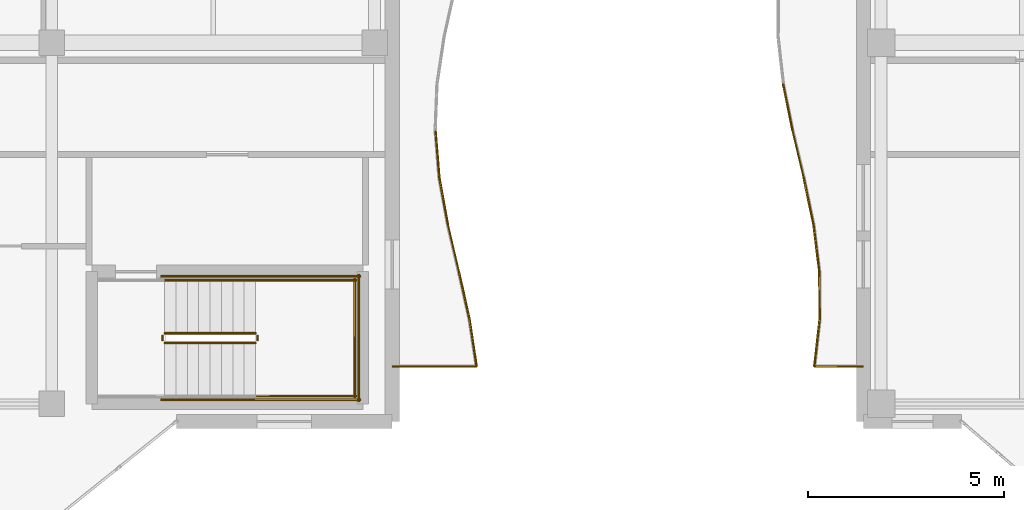
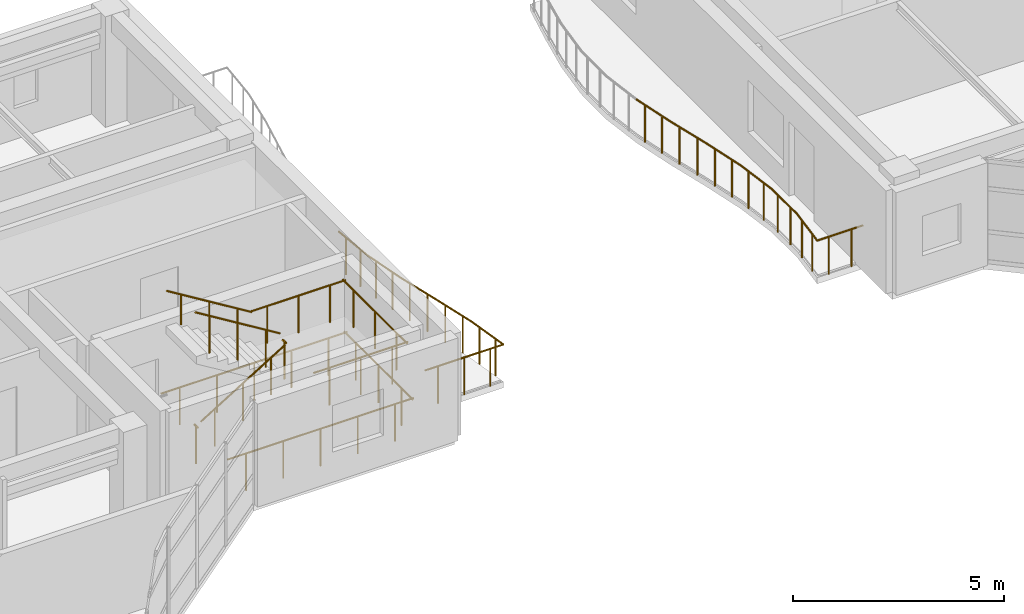
# One storey, part 117 of 128: 24 railings.
"""IFC4 building model written with IfcOpenShell, lengths in metres."""

from ifc_helpers import new_model, si_unit, direction, frame, origin, origin_2d, place, context, subcontext, project, spatial, circle, extrude, material, type_object, element, save


model = new_model("IFC4")

# Units and contexts
model_context = context("Model", 3, precision=1e-05, world=origin(), true_north=direction((0.0, 1.0)))
body_context = subcontext(model_context, "Body", "Model", "MODEL_VIEW")
ifc_project = project(units=[si_unit("LENGTHUNIT", "METRE"), si_unit("AREAUNIT", "SQUARE_METRE"), si_unit("VOLUMEUNIT", "CUBIC_METRE"), si_unit("PLANEANGLEUNIT", "RADIAN"), si_unit("MASSUNIT", "GRAM", prefix="KILO")], contexts=[model_context])

# Site, building, storey
site_placement = place(None, origin())
site = spatial("IfcSite", under=ifc_project, at=site_placement, CompositionType="ELEMENT")
building_placement = place(site_placement, origin())
building = spatial("IfcBuilding", under=site, at=building_placement, Name="Keldmere Railside Commons", CompositionType="ELEMENT")
storey_placement = place(building_placement, frame((0.0, 0.0, 4.159912109375)))
storey = spatial("IfcBuildingStorey", under=building, at=storey_placement, Name="L01", CompositionType="ELEMENT", Elevation=4.159912109375)

# Railings
ifc_material = material(Name="Steel F-24 (S235)", Category="steel")
railing_type_1 = type_object("IfcRailingType", Name="Balcony & Terrace Steel Balustrade 1100", PredefinedType="BALUSTRADE", material=ifc_material)
railing_1_placement = place(storey_placement, frame((81.5, 101.39990234375, 0.0)))
element("IfcRailing", 1, at=railing_1_placement, inside=storey, type_object=railing_type_1, Name="GR-1 GRD-L01-0880", PredefinedType="BALUSTRADE", context=body_context, shape_type="SweptSolid", body=[
    extrude(circle(Radius=0.02392578125, at=origin_2d()), frame((0.0, 0.0, 1.076171875), z_axis=(1.0, 0.0, 0.0), x_axis=(0.0, 1.0, 0.0)), (0.0, 0.0, 1.0), 2.150146484375),
    extrude(circle(Radius=0.02099609375, at=origin_2d()), frame((0.3583984375, 0.0, 0.0)), (0.0, 0.0, 1.0), 1.048095703125),
    extrude(circle(Radius=0.02099609375, at=origin_2d()), frame((1.0751953125, 0.0, 0.0)), (0.0, 0.0, 1.0), 1.048095703125),
    extrude(circle(Radius=0.02099609375, at=origin_2d()), frame((1.791748046875, 0.0, 0.0)), (0.0, 0.0, 1.0), 1.048095703125),
])
railing_2_placement = place(storey_placement, frame((83.650146484375, 101.39990234375, 0.0)))
element("IfcRailing", 2, at=railing_2_placement, inside=storey, type_object=railing_type_1, Name="GR-1 GRD-L01-0881", PredefinedType="BALUSTRADE", context=body_context, shape_type="SweptSolid", body=[
    extrude(circle(Radius=0.02392578125, at=origin_2d()), frame((0.0, 0.0, 1.076171875), z_axis=(-0.149441921366, 0.988770505294, 0.0), x_axis=(-0.988770505294, -0.149441921366, 0.0)), (0.0, 0.0, 1.0), 1.2138671875),
    extrude(circle(Radius=0.02099609375, at=origin_2d()), frame((-0.04541015625, 0.300048828125, 0.0)), (0.0, 0.0, 1.0), 1.048095703125),
    extrude(circle(Radius=0.02099609375, at=origin_2d()), frame((-0.135986328125, 0.900146484375, 0.0)), (0.0, 0.0, 1.0), 1.048095703125),
])
railing_3_placement = place(storey_placement, frame((83.46875, 102.60009765625, 0.0)))
element("IfcRailing", 3, at=railing_3_placement, inside=storey, type_object=railing_type_1, Name="GR-1 GRD-L01-0882", PredefinedType="BALUSTRADE", context=body_context, shape_type="SweptSolid", body=[
    extrude(circle(Radius=0.02392578125, at=origin_2d()), frame((0.0, 0.0, 1.076171875), z_axis=(-0.217077658328, 0.976154337313, 0.0), x_axis=(-0.976154337313, -0.217077658328, 0.0)), (0.0, 0.0, 1.0), 1.229248046875),
    extrude(circle(Radius=0.02099609375, at=origin_2d()), frame((-0.066650390625, 0.300048828125, 0.0)), (0.0, 0.0, 1.0), 1.048095703125),
    extrude(circle(Radius=0.02099609375, at=origin_2d()), frame((-0.2001953125, 0.89990234375, 0.0)), (0.0, 0.0, 1.0), 1.048095703125),
])
railing_4_placement = place(storey_placement, frame((83.201904296875, 103.800048828125, 0.0)))
element("IfcRailing", 4, at=railing_4_placement, inside=storey, type_object=railing_type_1, Name="GR-1 GRD-L01-0883", PredefinedType="BALUSTRADE", context=body_context, shape_type="SweptSolid", body=[
    extrude(circle(Radius=0.02392578125, at=origin_2d()), frame((0.0, 0.0, 1.076171875), z_axis=(-0.227824524311, 0.973702206079, 0.0), x_axis=(-0.973702206079, -0.227824524311, 0.0)), (0.0, 0.0, 1.0), 1.232421875),
    extrude(circle(Radius=0.02099609375, at=origin_2d()), frame((-0.0703125, 0.300048828125, 0.0)), (0.0, 0.0, 1.0), 1.048095703125),
    extrude(circle(Radius=0.02099609375, at=origin_2d()), frame((-0.21044921875, 0.89990234375, 0.0)), (0.0, 0.0, 1.0), 1.048095703125),
])
railing_5_placement = place(storey_placement, frame((82.921142578125, 105.0, 0.0)))
element("IfcRailing", 5, at=railing_5_placement, inside=storey, type_object=railing_type_1, Name="GR-1 GRD-L01-0884", PredefinedType="BALUSTRADE", context=body_context, shape_type="SweptSolid", body=[
    extrude(circle(Radius=0.02392578125, at=origin_2d()), frame((0.0, 0.0, 1.076171875), z_axis=(-0.179924457208, 0.983680430678, 0.0), x_axis=(-0.983680430678, -0.179924457208, 0.0)), (0.0, 0.0, 1.0), 1.219970703125),
    extrude(circle(Radius=0.02099609375, at=origin_2d()), frame((-0.054931640625, 0.300048828125, 0.0)), (0.0, 0.0, 1.0), 1.048095703125),
    extrude(circle(Radius=0.02099609375, at=origin_2d()), frame((-0.16455078125, 0.89990234375, 0.0)), (0.0, 0.0, 1.0), 1.048095703125),
])
railing_6_placement = place(storey_placement, frame((82.70166015625, 106.199951171875, 0.0)))
element("IfcRailing", 6, at=railing_6_placement, inside=storey, type_object=railing_type_1, Name="GR-1 GRD-L01-0885", PredefinedType="BALUSTRADE", context=body_context, shape_type="SweptSolid", body=[
    extrude(circle(Radius=0.02392578125, at=origin_2d()), frame((0.0, 0.0, 1.076171875), z_axis=(-0.082525271959, 0.996588972189, 0.0), x_axis=(-0.996588972189, -0.082525271959, 0.0)), (0.0, 0.0, 1.0), 1.2041015625),
    extrude(circle(Radius=0.02099609375, at=origin_2d()), frame((-0.02490234375, 0.300048828125, 0.0)), (0.0, 0.0, 1.0), 1.048095703125),
    extrude(circle(Radius=0.02099609375, at=origin_2d()), frame((-0.074462890625, 0.89990234375, 0.0)), (0.0, 0.0, 1.0), 1.048095703125),
])
railing_7_placement = place(storey_placement, frame((93.5, 101.39990234375, 0.0)))
element("IfcRailing", 7, at=railing_7_placement, inside=storey, type_object=railing_type_1, Name="GR-1 GRD-L01-1949", PredefinedType="BALUSTRADE", context=body_context, shape_type="SweptSolid", body=[
    extrude(circle(Radius=0.02392578125, at=origin_2d()), frame((0.0, 0.0, 1.076171875), z_axis=(-1.0, 0.0, 0.0), x_axis=(0.0, -1.0, 0.0)), (0.0, 0.0, 1.0), 1.252197265625),
    extrude(circle(Radius=0.02099609375, at=origin_2d()), frame((-0.31298828125, 0.0, 0.0)), (0.0, 0.0, 1.0), 1.048095703125),
    extrude(circle(Radius=0.02099609375, at=origin_2d()), frame((-0.939208984375, 0.0, 0.0)), (0.0, 0.0, 1.0), 1.048095703125),
])
railing_8_placement = place(storey_placement, frame((92.247802734375, 101.39990234375, 0.0)))
element("IfcRailing", 8, at=railing_8_placement, inside=storey, type_object=railing_type_1, Name="GR-1 GRD-L01-1950", PredefinedType="BALUSTRADE", context=body_context, shape_type="SweptSolid", body=[
    extrude(circle(Radius=0.02392578125, at=origin_2d()), frame((0.0, 0.0, 1.076171875), z_axis=(0.113181775206, 0.993574298058, 0.0), x_axis=(-0.993574298058, 0.113181775206, 0.0)), (0.0, 0.0, 1.0), 1.2080078125),
    extrude(circle(Radius=0.02099609375, at=origin_2d()), frame((0.0341796875, 0.300048828125, 0.0)), (0.0, 0.0, 1.0), 1.048095703125),
    extrude(circle(Radius=0.02099609375, at=origin_2d()), frame((0.1025390625, 0.900146484375, 0.0)), (0.0, 0.0, 1.0), 1.048095703125),
])
railing_9_placement = place(storey_placement, frame((92.384521484375, 102.60009765625, 0.0)))
element("IfcRailing", 9, at=railing_9_placement, inside=storey, type_object=railing_type_1, Name="GR-1 GRD-L01-1951", PredefinedType="BALUSTRADE", context=body_context, shape_type="SweptSolid", body=[
    extrude(circle(Radius=0.02392578125, at=origin_2d()), frame((0.0, 0.0, 1.076171875), z_axis=(-0.005696753948, 0.999983773366, 0.0), x_axis=(-0.999983773366, -0.005696753948, 0.0)), (0.0, 0.0, 1.0), 1.199951171875),
    extrude(circle(Radius=0.02099609375, at=origin_2d()), frame((-0.001708984375, 0.300048828125, 0.0)), (0.0, 0.0, 1.0), 1.048095703125),
    extrude(circle(Radius=0.02099609375, at=origin_2d()), frame((-0.005126953125, 0.89990234375, 0.0)), (0.0, 0.0, 1.0), 1.048095703125),
])
railing_10_placement = place(storey_placement, frame((92.377685546875, 103.800048828125, 0.0)))
element("IfcRailing", 10, at=railing_10_placement, inside=storey, type_object=railing_type_1, Name="GR-1 GRD-L01-1952", PredefinedType="BALUSTRADE", context=body_context, shape_type="SweptSolid", body=[
    extrude(circle(Radius=0.02392578125, at=origin_2d()), frame((0.0, 0.0, 1.076171875), z_axis=(-0.12217050298, 0.992509127516, 0.0), x_axis=(-0.992509127516, -0.12217050298, 0.0)), (0.0, 0.0, 1.0), 1.208984375),
    extrude(circle(Radius=0.02099609375, at=origin_2d()), frame((-0.036865234375, 0.300048828125, 0.0)), (0.0, 0.0, 1.0), 1.048095703125),
    extrude(circle(Radius=0.02099609375, at=origin_2d()), frame((-0.11083984375, 0.89990234375, 0.0)), (0.0, 0.0, 1.0), 1.048095703125),
])
railing_11_placement = place(storey_placement, frame((92.22998046875, 105.0, 0.0)))
element("IfcRailing", 11, at=railing_11_placement, inside=storey, type_object=railing_type_1, Name="GR-1 GRD-L01-1953", PredefinedType="BALUSTRADE", context=body_context, shape_type="SweptSolid", body=[
    extrude(circle(Radius=0.02392578125, at=origin_2d()), frame((0.0, 0.0, 1.076171875), z_axis=(-0.203962208122, 0.978978762618, 0.0), x_axis=(-0.978978762618, -0.203962208122, 0.0)), (0.0, 0.0, 1.0), 1.225830078125),
    extrude(circle(Radius=0.02099609375, at=origin_2d()), frame((-0.0625, 0.300048828125, 0.0)), (0.0, 0.0, 1.0), 1.048095703125),
    extrude(circle(Radius=0.02099609375, at=origin_2d()), frame((-0.1875, 0.89990234375, 0.0)), (0.0, 0.0, 1.0), 1.048095703125),
])
railing_12_placement = place(storey_placement, frame((91.97998046875, 106.199951171875, 0.0)))
element("IfcRailing", 12, at=railing_12_placement, inside=storey, type_object=railing_type_1, Name="GR-1 GRD-L01-1954", PredefinedType="BALUSTRADE", context=body_context, shape_type="SweptSolid", body=[
    extrude(circle(Radius=0.02392578125, at=origin_2d()), frame((0.0, 0.0, 1.076171875), z_axis=(-0.230639039041, 0.973039379301, 0.0), x_axis=(-0.973039379301, -0.230639039041, 0.0)), (0.0, 0.0, 1.0), 1.233154296875),
    extrude(circle(Radius=0.02099609375, at=origin_2d()), frame((-0.071044921875, 0.300048828125, 0.0)), (0.0, 0.0, 1.0), 1.048095703125),
    extrude(circle(Radius=0.02099609375, at=origin_2d()), frame((-0.21337890625, 0.89990234375, 0.0)), (0.0, 0.0, 1.0), 1.048095703125),
])
railing_13_placement = place(storey_placement, frame((91.695556640625, 107.39990234375, 0.0)))
element("IfcRailing", 13, at=railing_13_placement, inside=storey, type_object=railing_type_1, Name="GR-1 GRD-L01-1955", PredefinedType="BALUSTRADE", context=body_context, shape_type="SweptSolid", body=[
    extrude(circle(Radius=0.02392578125, at=origin_2d()), frame((0.0, 0.0, 1.076171875), z_axis=(-0.198760759903, 0.980048039804, 0.0), x_axis=(-0.980048039804, -0.198760759903, 0.0)), (0.0, 0.0, 1.0), 1.224609375),
    extrude(circle(Radius=0.02099609375, at=origin_2d()), frame((-0.060791015625, 0.300048828125, 0.0)), (0.0, 0.0, 1.0), 1.048095703125),
    extrude(circle(Radius=0.02099609375, at=origin_2d()), frame((-0.1826171875, 0.900146484375, 0.0)), (0.0, 0.0, 1.0), 1.048095703125),
])
railing_type_2 = type_object("IfcRailingType", Name="Stair Well Steel Guardrail 1100", PredefinedType="BALUSTRADE", material=ifc_material)
railing_14_placement = place(storey_placement, frame((75.699951171875, 102.0, 0.177978515625)))
element("IfcRailing", 14, at=railing_14_placement, inside=storey, type_object=railing_type_2, Name="L01 ST-C2 stair guard 1", PredefinedType="BALUSTRADE", context=body_context, shape_type="SweptSolid", body=[
    extrude(circle(Radius=0.02392578125, at=origin_2d()), frame((0.0, 0.0, 1.076171875), z_axis=(0.852578041948, 0.0, 0.522599925744), x_axis=(0.0, 1.0, 0.0)), (0.0, 0.0, 1.0), 2.72119140625),
    extrude(circle(Radius=0.02099609375, at=origin_2d()), frame((0.38671875, 0.0, 0.237060546875)), (0.0, 0.0, 1.0), 1.048095703125),
    extrude(circle(Radius=0.02099609375, at=origin_2d()), frame((1.16015625, 0.0, 0.7109375)), (0.0, 0.0, 1.0), 1.048095703125),
    extrude(circle(Radius=0.02099609375, at=origin_2d()), frame((1.933349609375, 0.0, 1.18505859375)), (0.0, 0.0, 1.0), 1.048095703125),
])
railing_15_placement = place(storey_placement, frame((78.070068359375, 102.050048828125, 1.60009765625)))
element("IfcRailing", 15, at=railing_15_placement, inside=storey, type_object=railing_type_2, Name="L01 ST-C2 stair guard 2", PredefinedType="BALUSTRADE", context=body_context, shape_type="SweptSolid", body=[
    extrude(circle(Radius=0.02392578125, at=origin_2d()), frame((0.0, 0.0, 1.076171875), z_axis=(0.0, 1.0, 0.0), x_axis=(-1.0, 0.0, 0.0)), (0.0, 0.0, 1.0), 0.14990234375),
    extrude(circle(Radius=0.02099609375, at=origin_2d()), frame((0.0, 0.074951171875, 0.0)), (0.0, 0.0, 1.0), 1.048095703125),
])
for number, where, name in (
    (16, (78.02001953125, 100.64990234375, 1.60009765625), "L01 ST-C2 stair guard 3"),
    (17, (78.02001953125, 103.60009765625, 1.60009765625), "L01 ST-C2 stair guard 4"),
):
    element("IfcRailing", number, at=place(storey_placement, frame(where)), inside=storey, type_object=railing_type_2, Name=name, PredefinedType="BALUSTRADE", context=body_context, shape_type="SweptSolid", body=[
        extrude(circle(Radius=0.02392578125, at=origin_2d()), frame((0.0, 0.0, 1.076171875), z_axis=(1.0, 0.0, 0.0), x_axis=(0.0, 1.0, 0.0)), (0.0, 0.0, 1.0), 2.580078125),
        extrude(circle(Radius=0.02099609375, at=origin_2d()), frame((0.429931640625, 0.0, 0.0)), (0.0, 0.0, 1.0), 1.048095703125),
        extrude(circle(Radius=0.02099609375, at=origin_2d()), frame((1.2900390625, 0.0, 0.0)), (0.0, 0.0, 1.0), 1.048095703125),
        extrude(circle(Radius=0.02099609375, at=origin_2d()), frame((2.150146484375, 0.0, 0.0)), (0.0, 0.0, 1.0), 1.048095703125),
    ])
railing_16_placement = place(storey_placement, frame((80.550048828125, 100.60009765625, 1.60009765625)))
element("IfcRailing", 18, at=railing_16_placement, inside=storey, type_object=railing_type_2, Name="L01 ST-C2 stair guard 5", PredefinedType="BALUSTRADE", context=body_context, shape_type="SweptSolid", body=[
    extrude(circle(Radius=0.02392578125, at=origin_2d()), frame((0.0, 0.0, 1.076171875), z_axis=(0.0, 1.0, 0.0), x_axis=(-1.0, 0.0, 0.0)), (0.0, 0.0, 1.0), 3.0498046875),
    extrude(circle(Radius=0.02099609375, at=origin_2d()), frame((0.0, 0.50830078125, 0.0)), (0.0, 0.0, 1.0), 1.048095703125),
    extrude(circle(Radius=0.02099609375, at=origin_2d()), frame((0.0, 1.52490234375, 0.0)), (0.0, 0.0, 1.0), 1.048095703125),
    extrude(circle(Radius=0.02099609375, at=origin_2d()), frame((0.0, 2.54150390625, 0.0)), (0.0, 0.0, 1.0), 1.048095703125),
])
railing_17_placement = place(storey_placement, frame((78.02001953125, 102.25, 1.77783203125)))
element("IfcRailing", 19, at=railing_17_placement, inside=storey, type_object=railing_type_2, Name="L01 ST-C2 stair guard 6", PredefinedType="BALUSTRADE", context=body_context, shape_type="SweptSolid", body=[
    extrude(circle(Radius=0.02392578125, at=origin_2d()), frame((0.0, 0.0, 1.076171875), z_axis=(-0.852538067394, 0.0, 0.522665135287), x_axis=(0.0, -1.0, 0.0)), (0.0, 0.0, 1.0), 2.721435546875),
    extrude(circle(Radius=0.02099609375, at=origin_2d()), frame((-0.38671875, 0.0, 0.237060546875)), (0.0, 0.0, 1.0), 1.048095703125),
    extrude(circle(Radius=0.02099609375, at=origin_2d()), frame((-1.16015625, 0.0, 0.711181640625)), (0.0, 0.0, 1.0), 1.048095703125),
    extrude(circle(Radius=0.02099609375, at=origin_2d()), frame((-1.933349609375, 0.0, 1.185302734375)), (0.0, 0.0, 1.0), 1.048095703125),
])
railing_18_placement = place(storey_placement, frame((75.64990234375, 102.050048828125, 0.0)))
element("IfcRailing", 20, at=railing_18_placement, inside=storey, type_object=railing_type_2, Name="L01 ST-C2 stair guard 7", PredefinedType="BALUSTRADE", context=body_context, shape_type="SweptSolid", body=[
    extrude(circle(Radius=0.02392578125, at=origin_2d()), frame((0.0, 0.0, 1.076171875), z_axis=(0.0, 1.0, 0.0), x_axis=(-1.0, 0.0, 0.0)), (0.0, 0.0, 1.0), 0.14990234375),
    extrude(circle(Radius=0.02099609375, at=origin_2d()), frame((0.0, 0.074951171875, 0.0)), (0.0, 0.0, 1.0), 1.048095703125),
])
for number, where, name in (
    (21, (75.60009765625, 100.550048828125, 0.0), "L01 ST-C2 stair guard 10"),
    (22, (75.60009765625, 103.699951171875, 0.0), "L01 ST-C2 stair guard 11"),
):
    element("IfcRailing", number, at=place(storey_placement, frame(where)), inside=storey, type_object=railing_type_2, Name=name, PredefinedType="BALUSTRADE", context=body_context, shape_type="SweptSolid", body=[
        extrude(circle(Radius=0.02392578125, at=origin_2d()), frame((0.0, 0.0, 1.076171875), z_axis=(1.0, 0.0, 0.0), x_axis=(0.0, 1.0, 0.0)), (0.0, 0.0, 1.0), 5.099853515625),
        extrude(circle(Radius=0.02099609375, at=origin_2d()), frame((0.510009765625, 0.0, 0.0)), (0.0, 0.0, 1.0), 1.048095703125),
        extrude(circle(Radius=0.02099609375, at=origin_2d()), frame((1.530029296875, 0.0, 0.0)), (0.0, 0.0, 1.0), 1.048095703125),
        extrude(circle(Radius=0.02099609375, at=origin_2d()), frame((2.5498046875, 0.0, 0.0)), (0.0, 0.0, 1.0), 1.048095703125),
        extrude(circle(Radius=0.02099609375, at=origin_2d()), frame((3.56982421875, 0.0, 0.0)), (0.0, 0.0, 1.0), 1.048095703125),
        extrude(circle(Radius=0.02099609375, at=origin_2d()), frame((4.58984375, 0.0, 0.0)), (0.0, 0.0, 1.0), 1.048095703125),
    ])
railing_19_placement = place(storey_placement, frame((80.64990234375, 100.5, 0.0)))
element("IfcRailing", 23, at=railing_19_placement, inside=storey, type_object=railing_type_2, Name="L01 ST-C2 stair guard 12", PredefinedType="BALUSTRADE", context=body_context, shape_type="SweptSolid", body=[
    extrude(circle(Radius=0.02392578125, at=origin_2d()), frame((0.0, 0.0, 1.076171875), z_axis=(0.0, 1.0, 0.0), x_axis=(-1.0, 0.0, 0.0)), (0.0, 0.0, 1.0), 3.25),
    extrude(circle(Radius=0.02099609375, at=origin_2d()), frame((0.0, 0.541748046875, 0.0)), (0.0, 0.0, 1.0), 1.048095703125),
    extrude(circle(Radius=0.02099609375, at=origin_2d()), frame((0.0, 1.625, 0.0)), (0.0, 0.0, 1.0), 1.048095703125),
    extrude(circle(Radius=0.02099609375, at=origin_2d()), frame((0.0, 2.708251953125, 0.0)), (0.0, 0.0, 1.0), 1.048095703125),
])
railing_type_3 = type_object("IfcRailingType", Name="Wall-Mounted Tubular Steel Handrail 900", PredefinedType="HANDRAIL", material=ifc_material)
railing_20_placement = place(storey_placement, frame((78.02001953125, 103.60009765625, 1.77783203125)))
element("IfcRailing", 24, at=railing_20_placement, inside=storey, type_object=railing_type_3, Name="L01 ST-C2 stair handrail 2", PredefinedType="HANDRAIL", context=body_context, shape_type="SweptSolid", body=[
    extrude(circle(Radius=0.02392578125, at=origin_2d()), frame((0.0, 0.0, 0.8759765625), z_axis=(-0.852538067394, 0.0, 0.522665135287), x_axis=(0.0, -1.0, 0.0)), (0.0, 0.0, 1.0), 2.721435546875),
    extrude(circle(Radius=0.02099609375, at=origin_2d()), frame((-0.38671875, 0.0, 0.237060546875)), (0.0, 0.0, 1.0), 0.847900390625),
    extrude(circle(Radius=0.02099609375, at=origin_2d()), frame((-1.16015625, 0.0, 0.711181640625)), (0.0, 0.0, 1.0), 0.847900390625),
    extrude(circle(Radius=0.02099609375, at=origin_2d()), frame((-1.933349609375, 0.0, 1.185302734375)), (0.0, 0.0, 1.0), 0.847900390625),
])

save(model, "model.ifc")
